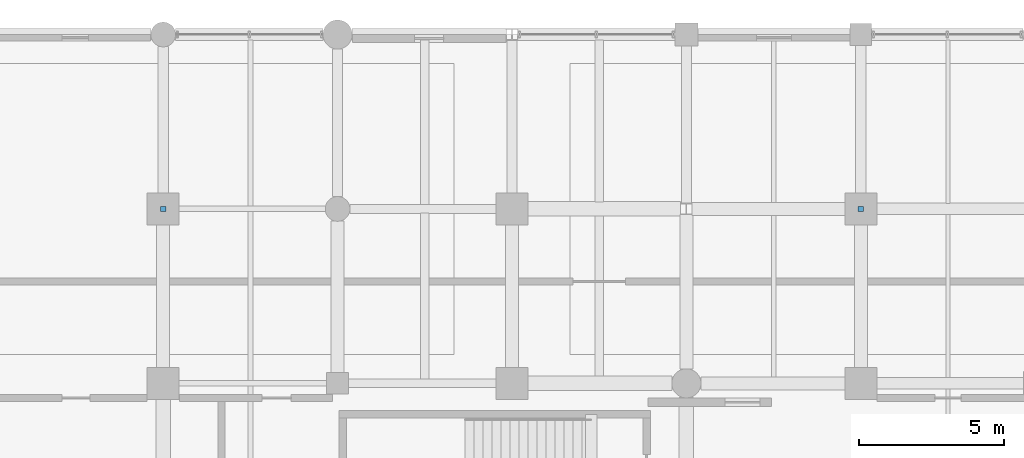
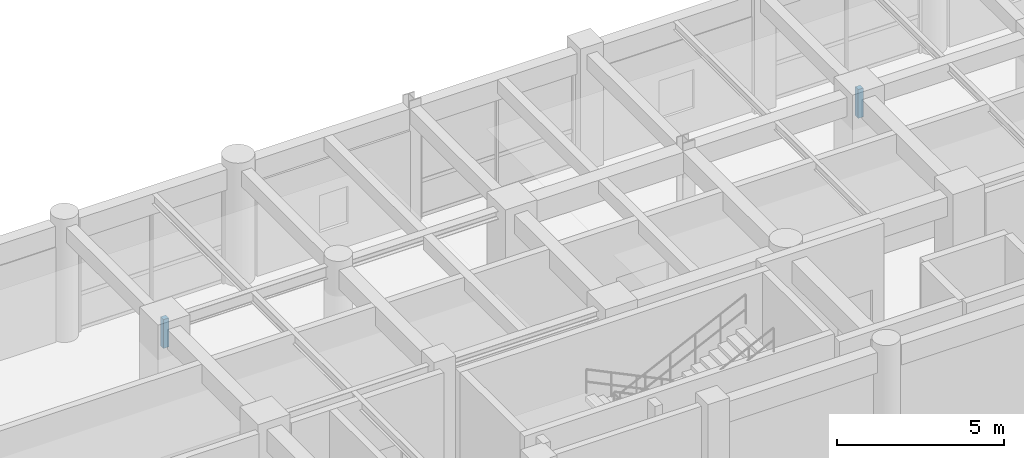
# One storey, part 113 of 133: 2 discrete accessories.
"""IFC4 building model written with IfcOpenShell, lengths in metres."""

import ifcopenshell
import ifcopenshell.guid

model = None  # the IFC model being written
_history = None  # IfcOwnerHistory: only IFC2X3 demands one
_inside = {}  # id of a spatial element -> (the spatial element, [elements in it])
_under = {}  # id of a project, library or spatial element -> (it, [spatial elements below it])
_declared = {}  # id of a project -> (the project, [libraries it declares])
_typed = {}  # id of a type object -> (the type object, [elements of that type])
_made_of = {}  # id of a material, layer set ... -> (it, [elements and type objects made of it])


def new_model(schema):
    """Start an empty IFC model of exactly this schema.

    Asked for "IFC4X3", IfcOpenShell would pick the latest addendum, in which some entities
    have other attributes; the version numbers below select the first issue.
    IFC2X3 requires an IfcOwnerHistory on every rooted entity: one is made here for all.
    """
    global model, _history
    if schema == "IFC4X3":
        model = ifcopenshell.file(schema_version=(4, 3, 0, 0))
    else:
        model = ifcopenshell.file(schema=schema)
    _inside.clear()
    _under.clear()
    _declared.clear()
    _typed.clear()
    _made_of.clear()
    _history = None
    if model.schema == "IFC2X3":
        org = make("IfcOrganization", Name="unknown")
        user = make(
            "IfcPersonAndOrganization",
            ThePerson=make("IfcPerson", FamilyName="unknown"),
            TheOrganization=org,
        )
        app = make(
            "IfcApplication",
            ApplicationDeveloper=org,
            Version="unknown",
            ApplicationFullName="unknown",
            ApplicationIdentifier="unknown",
        )
        _history = make(
            "IfcOwnerHistory",
            OwningUser=user,
            OwningApplication=app,
            ChangeAction="ADDED",
            CreationDate=0,
        )
    return model


def make(cls, **values):
    """One entity of the class cls with the attributes given. An attribute that is None is left unset."""
    return model.create_entity(
        cls, **{name: value for name, value in values.items() if value is not None}
    )


def rooted(cls, **values):
    """An entity with a GlobalId (a new one), such as an element, a storey or a relation."""
    return make(cls, GlobalId=ifcopenshell.guid.new(), OwnerHistory=_history, **values)


def si_unit(unit_type, name, prefix=None):
    """IfcSIUnit, for example si_unit("LENGTHUNIT", "METRE", prefix="MILLI")."""
    return make("IfcSIUnit", UnitType=unit_type, Prefix=prefix, Name=name)


def assignment(units):
    """IfcUnitAssignment: the units of a project."""
    return None if units is None else make("IfcUnitAssignment", Units=units)


def point(xyz):
    """IfcCartesianPoint."""
    return None if xyz is None else make("IfcCartesianPoint", Coordinates=xyz)


def direction(xyz):
    """IfcDirection."""
    return None if xyz is None else make("IfcDirection", DirectionRatios=xyz)


def frame(location, z_axis=None, x_axis=None):
    """IfcAxis2Placement3D, a coordinate frame: its origin and axes. An axis left out is left unset."""
    return make(
        "IfcAxis2Placement3D",
        Location=point(location),
        Axis=direction(z_axis),
        RefDirection=direction(x_axis),
    )


def frame_2d(location, x_axis=None):
    """IfcAxis2Placement2D, a coordinate frame in the plane: its origin and x axis."""
    return make(
        "IfcAxis2Placement2D", Location=point(location), RefDirection=direction(x_axis)
    )


def origin():
    """The frame at (0, 0, 0) with its axes left unset."""
    return frame((0.0, 0.0, 0.0))


def origin_2d():
    """The frame at (0, 0) in the plane with its x axis left unset."""
    return frame_2d((0.0, 0.0))


def place(relative_to, where):
    """IfcLocalPlacement: puts the frame where relative to a parent placement (None: the world)."""
    return make(
        "IfcLocalPlacement", PlacementRelTo=relative_to, RelativePlacement=where
    )


def context(
    kind, dimensions, precision=None, world=None, true_north=None, identifier=None
):
    """IfcGeometricRepresentationContext, for example the 3D "Model" context."""
    return make(
        "IfcGeometricRepresentationContext",
        ContextIdentifier=identifier,
        ContextType=kind,
        CoordinateSpaceDimension=dimensions,
        Precision=precision,
        WorldCoordinateSystem=world,
        TrueNorth=true_north,
    )


def subcontext(parent, identifier, kind, view, scale=None):
    """IfcGeometricRepresentationSubContext, for example "Body" below "Model"."""
    return make(
        "IfcGeometricRepresentationSubContext",
        ContextIdentifier=identifier,
        ContextType=kind,
        ParentContext=parent,
        TargetScale=scale,
        TargetView=view,
    )


def project(units=None, contexts=None):
    """IfcProject with its units and contexts."""
    return rooted(
        "IfcProject",
        Name="project",
        RepresentationContexts=contexts,
        UnitsInContext=assignment(units),
    )


def spatial(cls, under=None, at=None, **own):
    """A site, building, storey or space (cls), placed at a placement, below another one or the project."""
    s = rooted(cls, ObjectPlacement=at, **own)
    if under is not None:
        _under.setdefault(under.id(), (under, []))[1].append(s)
    return s


def profile(cls, at=None, kind="AREA", **sizes):
    """A parametric profile (cls). Its sizes go by their IFC names, for example OverallWidth=200.0."""
    return make(cls, ProfileType=kind, Position=at, **sizes)


def rectangle(**sizes):
    """IfcRectangleProfileDef."""
    return profile("IfcRectangleProfileDef", **sizes)


def extrude(swept, where, along, depth):
    """IfcExtrudedAreaSolid: the profile swept, set in the frame where, extruded along a direction by depth."""
    return make(
        "IfcExtrudedAreaSolid",
        SweptArea=swept,
        Position=where,
        ExtrudedDirection=direction(along),
        Depth=depth,
    )


def shape(context_of_items, identifier, shape_type, items):
    """IfcShapeRepresentation: the items that make up one representation, for example the "Body"."""
    return make(
        "IfcShapeRepresentation",
        ContextOfItems=context_of_items,
        RepresentationIdentifier=identifier,
        RepresentationType=shape_type,
        Items=items,
    )


def material(Name=None, Category=None):
    """IfcMaterial."""
    return make("IfcMaterial", Name=Name, Category=Category)


def made_of(thing, what):
    """Note that an element or type object is made of a material, layer set ...; save() writes the relation."""
    if what is not None:
        _made_of.setdefault(what.id(), (what, []))[1].append(thing)
    return thing


def type_object(cls, material=None, **own):
    """A type object (cls), such as IfcWallType, which elements share."""
    return made_of(rooted(cls, **own), material)


def element(
    cls,
    number,
    at=None,
    inside=None,
    cuts=None,
    type_object=None,
    material=None,
    context=None,
    identifier="Body",
    shape_type=None,
    held_by="IfcProductDefinitionShape",
    body=None,
    shapes=None,
    **own,
):
    """One element of the class cls, such as IfcWall. Its Tag is "e" and its number.

    at: its placement. inside: the storey or other place that contains it. cuts: it is an
    opening in that element (IfcRelVoidsElement). A single representation is given by context,
    identifier, shape_type and body (its items); several are given by shapes. held_by: the class
    of the entity that holds the representations. save() writes the other relations.
    """
    e = rooted(cls, Tag="e%d" % number, ObjectPlacement=at, **own)
    if body is not None:
        shapes = [shape(context, identifier, shape_type, body)]
    if shapes is not None:
        e.Representation = make(held_by, Representations=shapes)
    if inside is not None:
        _inside.setdefault(inside.id(), (inside, []))[1].append(e)
    if cuts is not None:
        rooted(
            "IfcRelVoidsElement", RelatingBuildingElement=cuts, RelatedOpeningElement=e
        )
    if type_object is not None:
        _typed.setdefault(type_object.id(), (type_object, []))[1].append(e)
    return made_of(e, material)


def aggregate(whole, parts):
    """IfcRelAggregates: a whole, such as a stair, and the parts it consists of."""
    return rooted("IfcRelAggregates", RelatingObject=whole, RelatedObjects=parts)


def save(model, path):
    """Write the relations noted so far, then the file.

    IfcRelAggregates (storeys below a building ...), IfcRelContainedInSpatialStructure (elements
    in a storey), IfcRelDefinesByType, IfcRelAssociatesMaterial and IfcRelDeclares: one each for
    every whole, place, type object, material and project.
    """
    for whole, parts in _under.values():
        aggregate(whole, parts)
    for where, things in _inside.values():
        rooted(
            "IfcRelContainedInSpatialStructure",
            RelatedElements=things,
            RelatingStructure=where,
        )
    for kind, things in _typed.values():
        rooted("IfcRelDefinesByType", RelatedObjects=things, RelatingType=kind)
    for what, things in _made_of.values():
        rooted("IfcRelAssociatesMaterial", RelatedObjects=things, RelatingMaterial=what)
    for by, libraries in _declared.values():
        rooted("IfcRelDeclares", RelatingContext=by, RelatedDefinitions=libraries)
    model.write(path)


model = new_model("IFC4")

# Units and contexts
model_context = context("Model", 3, precision=1e-05, world=origin(), true_north=direction((0.0, 1.0)))
body_context = subcontext(model_context, "Body", "Model", "MODEL_VIEW")
ifc_project = project(units=[si_unit("LENGTHUNIT", "METRE"), si_unit("AREAUNIT", "SQUARE_METRE"), si_unit("VOLUMEUNIT", "CUBIC_METRE"), si_unit("PLANEANGLEUNIT", "RADIAN"), si_unit("MASSUNIT", "GRAM", prefix="KILO"), si_unit("THERMODYNAMICTEMPERATUREUNIT", "KELVIN"), si_unit("POWERUNIT", "WATT")], contexts=[model_context])

# Site, building, storey
site_placement = place(None, origin())
site = spatial("IfcSite", under=ifc_project, at=site_placement, CompositionType="ELEMENT")
building_placement = place(site_placement, origin())
building = spatial("IfcBuilding", under=site, at=building_placement, Name="Phaisarnlok Congress Hotel", CompositionType="ELEMENT")
storey_placement = place(building_placement, frame((0.0, 0.0, 6.0)))
storey = spatial("IfcBuildingStorey", under=building, at=storey_placement, Name="L01", CompositionType="ELEMENT", Elevation=6.0)

# Discrete accessories
ifc_material = material(Name="Steel S355", Category="steel")
discrete_accessory_type = type_object("IfcDiscreteAccessoryType", Name="ACC-HNG-STL", PredefinedType="BRACKET", material=ifc_material)
for number, where, z_axis, x_axis, name in (
    (1, (96.0, 120.0, 3.205078125), (0.0, 0.0, 1.0), (1.0, 0.0, 0.0), "Acoustic ceiling steel suspension hanger BK-01"),
    (2, (120.0, 120.0, 3.205078125), (0.0, 0.0, 1.0), (1.0, 0.0, 0.0), "Acoustic ceiling steel suspension hanger BK-01"),
):
    element("IfcDiscreteAccessory", number, at=place(storey_placement, frame(where, z_axis=z_axis, x_axis=x_axis)), inside=storey, type_object=discrete_accessory_type, Name=name, PredefinedType="BRACKET", context=body_context, shape_type="SweptSolid", body=[
        extrude(rectangle(XDim=0.179931640625, YDim=0.179931640625, at=origin_2d()), origin(), (0.0, 0.0, 1.0), 1.054931640625),
    ])

save(model, "model.ifc")
